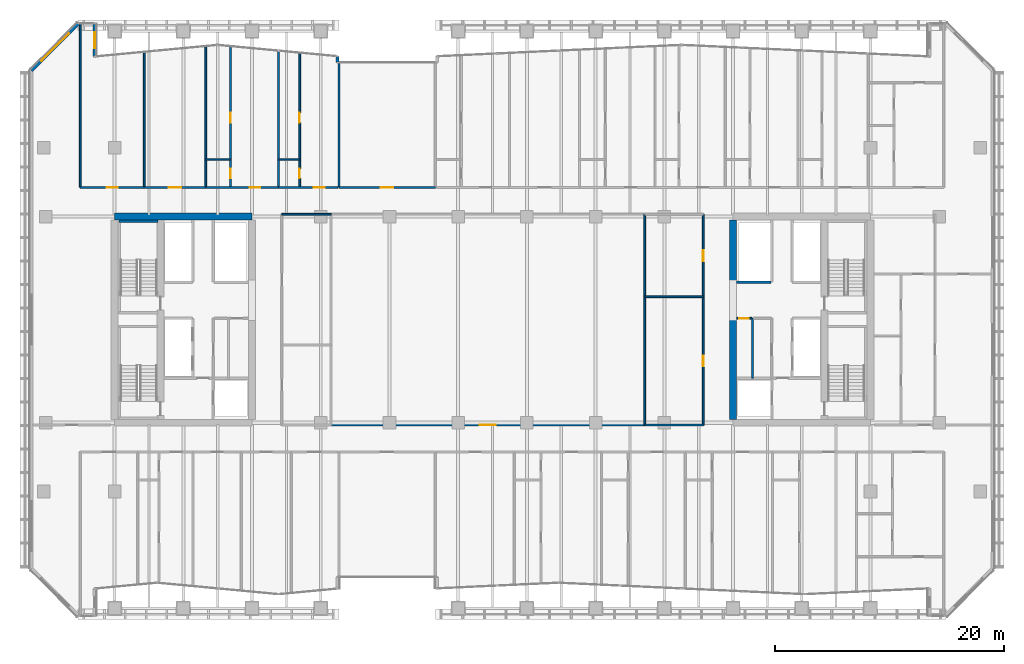
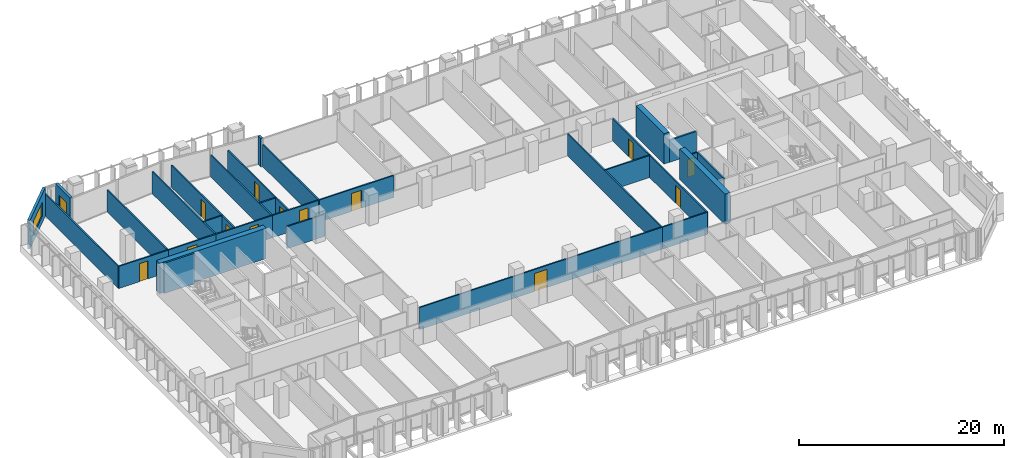
# One storey, part 22 of 32: 31 walls, 13 doors, 2 windows, 15 openings.
"""IFC4 building model written with IfcOpenShell, lengths in metres."""

from ifc_helpers import new_model, si_unit, direction, frame, frame_2d, origin, place, context, subcontext, project, spatial, rectangle, extrude, material, layer, layer_set, type_object, element, fill, save


model = new_model("IFC4")

# Units and contexts
model_context = context("Model", 3, precision=1e-05, world=origin(), true_north=direction((0.0, 1.0)))
body_context = subcontext(model_context, "Body", "Model", "MODEL_VIEW")
ifc_project = project(units=[si_unit("LENGTHUNIT", "METRE"), si_unit("AREAUNIT", "SQUARE_METRE"), si_unit("VOLUMEUNIT", "CUBIC_METRE"), si_unit("PLANEANGLEUNIT", "RADIAN"), si_unit("MASSUNIT", "GRAM", prefix="KILO")], contexts=[model_context])

# Site, building, storey
site_placement = place(None, origin())
site = spatial("IfcSite", under=ifc_project, at=site_placement, CompositionType="ELEMENT")
building_placement = place(site_placement, origin())
building = spatial("IfcBuilding", under=site, at=building_placement, Name="Tanjung Sevakor Pilgrim Tower", CompositionType="ELEMENT")
storey_placement = place(building_placement, frame((0.0, 0.0, 62.3701171875)))
storey = spatial("IfcBuildingStorey", under=building, at=storey_placement, Name="L17", CompositionType="ELEMENT", Elevation=62.3701171875)

# Walls
ifc_material_1 = material(Name="Concrete C60/75", Category="concrete")
ifc_layer_1 = layer(ifc_material_1, 0.60009765625)
ifc_layer_set_1 = layer_set([ifc_layer_1], Name="WALL-CW-600")
wall_type_1 = type_object("IfcWallType", Name="WALL-CW-600", PredefinedType="SHEAR", material=ifc_layer_set_1)
wall_1_placement = place(storey_placement, frame((36.0, 42.60009765625, 0.0), z_axis=(0.0, 0.0, 1.0), x_axis=(-1.0, 0.0, 0.0)))
element("IfcWall", 1, at=wall_1_placement, inside=storey, type_object=wall_type_1, Name="L17 W Core North Shear Wall", PredefinedType="SHEAR", context=body_context, shape_type="SweptSolid", body=[
    extrude(rectangle(XDim=12.0, YDim=0.60009765625, at=frame_2d((6.0, 0.0))), origin(), (0.0, 0.0, 1.0), 3.6298828125),
])
wall_2_placement = place(storey_placement, frame((78.0, 24.89990234375, 0.0), z_axis=(0.0, 0.0, 1.0), x_axis=(0.0, 1.0, 0.0)))
element("IfcWall", 2, at=wall_2_placement, inside=storey, type_object=wall_type_1, Name="L17 E Core Inner Shear Wall South", PredefinedType="SHEAR", context=body_context, shape_type="SweptSolid", body=[
    extrude(rectangle(XDim=8.900146484375, YDim=0.60009765625, at=frame_2d((4.4501953125, 0.0))), origin(), (0.0, 0.0, 1.0), 3.6298828125),
])
wall_3_placement = place(storey_placement, frame((78.0, 36.800048828125, 0.0), z_axis=(0.0, 0.0, 1.0), x_axis=(0.0, 1.0, 0.0)))
element("IfcWall", 3, at=wall_3_placement, inside=storey, type_object=wall_type_1, Name="L17 E Core Inner Shear Wall North", PredefinedType="SHEAR", context=body_context, shape_type="SweptSolid", body=[
    extrude(rectangle(XDim=5.5, YDim=0.60009765625, at=frame_2d((2.75, 0.0))), origin(), (0.0, 0.0, 1.0), 3.6298828125),
])
ifc_material_2 = material(Name="Concrete C40/50", Category="concrete")
ifc_layer_2 = layer(ifc_material_2, 0.14990234375)
ifc_layer_set_2 = layer_set([ifc_layer_2], Name="WT-COMP-150")
wall_type_2 = type_object("IfcWallType", Name="WT-COMP-150", PredefinedType="SOLIDWALL", material=ifc_layer_set_2)
wall_4_placement = place(storey_placement, frame((79.699951171875, 28.5, 0.0), z_axis=(0.0, 0.0, 1.0), x_axis=(0.0, 1.0, 0.0)))
element("IfcWall", 4, at=wall_4_placement, inside=storey, type_object=wall_type_2, Name="L17 Partition IW-L17-017", PredefinedType="SOLIDWALL", context=body_context, shape_type="SweptSolid", body=[
    extrude(rectangle(XDim=5.219970703125, YDim=0.14990234375, at=frame_2d((2.60986328125, 0.0))), origin(), (0.0, 0.0, 1.0), 2.6298828125),
])

# Wall, opening, door
wall_5_placement = place(storey_placement, frame((78.320068359375, 33.719970703125, 0.0), z_axis=(0.0, 0.0, 1.0), x_axis=(1.0, 0.0, 0.0)))
wall_5 = element("IfcWall", 5, at=wall_5_placement, inside=storey, type_object=wall_type_2, Name="L17 Partition IW-L17-019", PredefinedType="SOLIDWALL", context=body_context, shape_type="SweptSolid", body=[
    extrude(rectangle(XDim=1.31982421875, YDim=0.14990234375, at=frame_2d((0.659912109375, 0.0))), origin(), (0.0, 0.0, 1.0), 2.6298828125),
])
opening_1_placement = place(wall_5_placement, frame((0.219970703125, 0.0, 0.0)))
opening_1 = element("IfcOpeningElement", 6, at=opening_1_placement, cuts=wall_5, Name="Opening ID-FD3", PredefinedType="OPENING", context=body_context, shape_type="SweptSolid", body=[
    extrude(rectangle(XDim=0.85009765625, YDim=2.10009765625, at=frame_2d((0.425048828125, 1.050048828125))), frame((0.0, 0.0849609375, 0.0), z_axis=(0.0, -1.0, 0.0), x_axis=(1.0, 0.0, 0.0)), (0.0, 0.0, 1.0), 0.169921875),
])
ifc_material_3 = material(Name="Fire-Rated Timber", Category="wood")
door_type_1 = type_object("IfcDoorType", Name="DT-FIRE-850", OperationType="NOTDEFINED", PredefinedType="DOOR", material=ifc_material_3)
door_1_placement = place(opening_1_placement, origin())
door_1 = element("IfcDoor", 7, at=door_1_placement, inside=storey, type_object=door_type_1, Name="L17 Service Store Door", OperationType="SINGLE_SWING_RIGHT", OverallHeight=2.10009765625, OverallWidth=0.85009765625, PredefinedType="DOOR", context=body_context, shape_type="SweptSolid", body=[
    extrude(rectangle(XDim=0.85009765625, YDim=2.10009765625, at=frame_2d((0.425048828125, 1.050048828125))), frame((0.0, 0.02490234375, 0.0), z_axis=(0.0, -1.0, 0.0), x_axis=(1.0, 0.0, 0.0)), (0.0, 0.0, 1.0), 0.050048828125),
])
fill(opening_1, door_1)

# Wall
wall_6_placement = place(storey_placement, frame((38.60009765625, 42.800048828125, 0.0), z_axis=(0.0, 0.0, 1.0), x_axis=(1.0, 0.0, 0.0)))
element("IfcWall", 8, at=wall_6_placement, inside=storey, type_object=wall_type_2, Name="L17 Partition IW-L17-028", PredefinedType="SOLIDWALL", context=body_context, shape_type="SweptSolid", body=[
    extrude(rectangle(XDim=4.2998046875, YDim=0.14990234375, at=frame_2d((2.14990234375, 0.0))), origin(), (0.0, 0.0, 1.0), 2.625244140625),
])

# Wall, opening, door
wall_7_placement = place(storey_placement, frame((42.89990234375, 24.39990234375, 0.0), z_axis=(0.0, 0.0, 1.0), x_axis=(1.0, 0.0, 0.0)))
wall_7 = element("IfcWall", 9, at=wall_7_placement, inside=storey, type_object=wall_type_2, Name="L17 Partition IW-L17-030", PredefinedType="SOLIDWALL", context=body_context, shape_type="SweptSolid", body=[
    extrude(rectangle(XDim=27.400146484375, YDim=0.14990234375, at=frame_2d((13.7001953125, 0.0))), origin(), (0.0, 0.0, 1.0), 2.625244140625),
])
opening_2_placement = place(wall_7_placement, frame((13.0, 0.0, 0.0)))
opening_2 = element("IfcOpeningElement", 10, at=opening_2_placement, cuts=wall_7, Name="Opening ID-HD1", PredefinedType="OPENING", context=body_context, shape_type="SweptSolid", body=[
    extrude(rectangle(XDim=1.39990234375, YDim=2.14990234375, at=frame_2d((0.699951171875, 1.074951171875))), frame((0.0, 0.0849609375, 0.0), z_axis=(0.0, -1.0, 0.0), x_axis=(1.0, 0.0, 0.0)), (0.0, 0.0, 1.0), 0.169921875),
])
ifc_material_4 = material(Name="Hardwood Timber", Category="wood")
door_type_2 = type_object("IfcDoorType", Name="DT-INT-1400", OperationType="DOUBLE_DOOR_SINGLE_SWING", PredefinedType="DOOR", material=ifc_material_4)
door_2_placement = place(opening_2_placement, origin())
door_2 = element("IfcDoor", 11, at=door_2_placement, inside=storey, type_object=door_type_2, Name="L17 Sky-Prayer Sanctuary Door", OperationType="SINGLE_SWING_RIGHT", OverallHeight=2.14990234375, OverallWidth=1.39990234375, PredefinedType="DOOR", context=body_context, shape_type="SweptSolid", body=[
    extrude(rectangle(XDim=1.39990234375, YDim=2.14990234375, at=frame_2d((0.699951171875, 1.074951171875))), frame((0.0, 0.02490234375, 0.0), z_axis=(0.0, -1.0, 0.0), x_axis=(1.0, 0.0, 0.0)), (0.0, 0.0, 1.0), 0.050048828125),
])
fill(opening_2, door_2)

# Walls
wall_8_placement = place(storey_placement, frame((70.300048828125, 24.39990234375, 0.0), z_axis=(0.0, 0.0, 1.0), x_axis=(0.0, 1.0, 0.0)))
element("IfcWall", 12, at=wall_8_placement, inside=storey, type_object=wall_type_2, Name="L17 Partition IW-L17-033", PredefinedType="SOLIDWALL", context=body_context, shape_type="SweptSolid", body=[
    extrude(rectangle(XDim=18.400146484375, YDim=0.14990234375, at=frame_2d((9.2001953125, 0.0))), origin(), (0.0, 0.0, 1.0), 2.6298828125),
])
wall_9_placement = place(storey_placement, frame((70.300048828125, 24.39990234375, 0.0), z_axis=(0.0, 0.0, 1.0), x_axis=(1.0, 0.0, 0.0)))
element("IfcWall", 13, at=wall_9_placement, inside=storey, type_object=wall_type_2, Name="L17 Partition IW-L17-034", PredefinedType="SOLIDWALL", context=body_context, shape_type="SweptSolid", body=[
    extrude(rectangle(XDim=5.099853515625, YDim=0.14990234375, at=frame_2d((2.5498046875, 0.0))), origin(), (0.0, 0.0, 1.0), 2.625244140625),
])
wall_10_placement = place(storey_placement, frame((70.300048828125, 35.60009765625, 0.0), z_axis=(0.0, 0.0, 1.0), x_axis=(1.0, 0.0, 0.0)))
element("IfcWall", 14, at=wall_10_placement, inside=storey, type_object=wall_type_2, Name="L17 Partition IW-L17-035", PredefinedType="SOLIDWALL", context=body_context, shape_type="SweptSolid", body=[
    extrude(rectangle(XDim=5.099853515625, YDim=0.14990234375, at=frame_2d((2.5498046875, 0.0))), origin(), (0.0, 0.0, 1.0), 2.6298828125),
])

# Wall, opening, door
wall_11_placement = place(storey_placement, frame((75.39990234375, 24.39990234375, 0.0), z_axis=(0.0, 0.0, 1.0), x_axis=(0.0, 1.0, 0.0)))
wall_11 = element("IfcWall", 15, at=wall_11_placement, inside=storey, type_object=wall_type_2, Name="L17 Partition IW-L17-036", PredefinedType="SOLIDWALL", context=body_context, shape_type="SweptSolid", body=[
    extrude(rectangle(XDim=11.2001953125, YDim=0.14990234375, at=frame_2d((5.60009765625, 0.0))), origin(), (0.0, 0.0, 1.0), 2.6298828125),
])
opening_3_placement = place(wall_11_placement, frame((5.125, 0.0, 0.0)))
opening_3 = element("IfcOpeningElement", 16, at=opening_3_placement, cuts=wall_11, Name="Opening ID-RM1", PredefinedType="OPENING", context=body_context, shape_type="SweptSolid", body=[
    extrude(rectangle(XDim=0.949951171875, YDim=2.14990234375, at=frame_2d((0.47509765625, 1.074951171875))), frame((0.0, 0.0849609375, 0.0), z_axis=(0.0, -1.0, 0.0), x_axis=(1.0, 0.0, 0.0)), (0.0, 0.0, 1.0), 0.169921875),
])
ifc_material_5 = material(Name="Hardwood Timber", Category="wood")
door_type_3 = type_object("IfcDoorType", Name="DT-INT-950", OperationType="NOTDEFINED", PredefinedType="DOOR", material=ifc_material_5)
door_3_placement = place(opening_3_placement, origin())
door_3 = element("IfcDoor", 17, at=door_3_placement, inside=storey, type_object=door_type_3, Name="L17 Female Ablution Door", OperationType="SINGLE_SWING_LEFT", OverallHeight=2.14990234375, OverallWidth=0.949951171875, PredefinedType="DOOR", context=body_context, shape_type="SweptSolid", body=[
    extrude(rectangle(XDim=0.949951171875, YDim=2.14990234375, at=frame_2d((0.47509765625, 1.074951171875))), frame((0.0, 0.02490234375, 0.0), z_axis=(0.0, -1.0, 0.0), x_axis=(1.0, 0.0, 0.0)), (0.0, 0.0, 1.0), 0.050048828125),
])
fill(opening_3, door_3)

wall_12_placement = place(storey_placement, frame((75.39990234375, 35.60009765625, 0.0), z_axis=(0.0, 0.0, 1.0), x_axis=(0.0, 1.0, 0.0)))
wall_12 = element("IfcWall", 18, at=wall_12_placement, inside=storey, type_object=wall_type_2, Name="L17 Partition IW-L17-038", PredefinedType="SOLIDWALL", context=body_context, shape_type="SweptSolid", body=[
    extrude(rectangle(XDim=7.199951171875, YDim=0.14990234375, at=frame_2d((3.60009765625, 0.0))), origin(), (0.0, 0.0, 1.0), 2.6298828125),
])
opening_4_placement = place(wall_12_placement, frame((3.125, 0.0, 0.0)))
opening_4 = element("IfcOpeningElement", 19, at=opening_4_placement, cuts=wall_12, Name="Opening ID-RM1", PredefinedType="OPENING", context=body_context, shape_type="SweptSolid", body=[
    extrude(rectangle(XDim=0.949951171875, YDim=2.14990234375, at=frame_2d((0.47509765625, 1.074951171875))), frame((0.0, 0.0849609375, 0.0), z_axis=(0.0, -1.0, 0.0), x_axis=(1.0, 0.0, 0.0)), (0.0, 0.0, 1.0), 0.169921875),
])
door_4_placement = place(opening_4_placement, origin())
door_4 = element("IfcDoor", 20, at=door_4_placement, inside=storey, type_object=door_type_3, Name="L17 Female Washroom Door", OperationType="SINGLE_SWING_RIGHT", OverallHeight=2.14990234375, OverallWidth=0.949951171875, PredefinedType="DOOR", context=body_context, shape_type="SweptSolid", body=[
    extrude(rectangle(XDim=0.949951171875, YDim=2.14990234375, at=frame_2d((0.47509765625, 1.074951171875))), frame((0.0, 0.02490234375, 0.0), z_axis=(0.0, -1.0, 0.0), x_axis=(1.0, 0.0, 0.0)), (0.0, 0.0, 1.0), 0.050048828125),
])
fill(opening_4, door_4)

wall_13_placement = place(storey_placement, frame((43.60009765625, 45.14990234375, 0.0), z_axis=(0.0, 0.0, 1.0), x_axis=(1.0, 0.0, 0.0)))
wall_13 = element("IfcWall", 21, at=wall_13_placement, inside=storey, type_object=wall_type_2, Name="L17 Partition IW-L17-049", PredefinedType="SOLIDWALL", context=body_context, shape_type="SweptSolid", body=[
    extrude(rectangle(XDim=8.39990234375, YDim=0.14990234375, at=frame_2d((4.199951171875, 0.0))), origin(), (0.0, 0.0, 1.0), 2.6298828125),
])
opening_5_placement = place(wall_13_placement, frame((3.64990234375, 0.0, 0.0)))
opening_5 = element("IfcOpeningElement", 22, at=opening_5_placement, cuts=wall_13, Name="Opening ID-RM2", PredefinedType="OPENING", context=body_context, shape_type="SweptSolid", body=[
    extrude(rectangle(XDim=1.10009765625, YDim=2.14990234375, at=frame_2d((0.550048828125, 1.074951171875))), frame((0.0, 0.0849609375, 0.0), z_axis=(0.0, -1.0, 0.0), x_axis=(1.0, 0.0, 0.0)), (0.0, 0.0, 1.0), 0.169921875),
])
ifc_material_6 = material(Name="Hardwood Timber", Category="wood")
door_type_4 = type_object("IfcDoorType", Name="DT-INT-1100", OperationType="NOTDEFINED", PredefinedType="DOOR", material=ifc_material_6)
door_5_placement = place(opening_5_placement, origin())
door_5 = element("IfcDoor", 23, at=door_5_placement, inside=storey, type_object=door_type_4, Name="L17 North Cleft Prayer Room Door", OperationType="SINGLE_SWING_LEFT", OverallHeight=2.14990234375, OverallWidth=1.10009765625, PredefinedType="DOOR", context=body_context, shape_type="SweptSolid", body=[
    extrude(rectangle(XDim=1.10009765625, YDim=2.14990234375, at=frame_2d((0.550048828125, 1.074951171875))), frame((0.0, 0.02490234375, 0.0), z_axis=(0.0, -1.0, 0.0), x_axis=(1.0, 0.0, 0.0)), (0.0, 0.0, 1.0), 0.050048828125),
])
fill(opening_5, door_5)

# Walls
wall_14_placement = place(storey_placement, frame((43.60009765625, 45.14990234375, 0.0), z_axis=(0.0, 0.0, 1.0), x_axis=(0.0, 1.0, 0.0)))
element("IfcWall", 24, at=wall_14_placement, inside=storey, type_object=wall_type_2, Name="L17 Partition IW-L17-050", PredefinedType="SOLIDWALL", context=body_context, shape_type="SweptSolid", body=[
    extrude(rectangle(XDim=10.91015625, YDim=0.14990234375, at=frame_2d((5.455078125, 0.0))), origin(), (0.0, 0.0, 1.0), 2.6298828125),
])
wall_15_placement = place(storey_placement, frame((21.0, 45.14990234375, 0.0), z_axis=(0.0, 0.0, 1.0), x_axis=(0.0, 1.0, 0.0)))
element("IfcWall", 25, at=wall_15_placement, inside=storey, type_object=wall_type_2, Name="L17 Partition IW-L17-087", PredefinedType="SOLIDWALL", context=body_context, shape_type="SweptSolid", body=[
    extrude(rectangle(XDim=14.31005859375, YDim=0.14990234375, at=frame_2d((7.155029296875, 0.0))), origin(), (0.0, 0.0, 1.0), 2.6298828125),
])
wall_16_placement = place(storey_placement, frame((26.581298828125, 45.14990234375, 0.0), z_axis=(0.0, 0.0, 1.0), x_axis=(0.0, 1.0, 0.0)))
element("IfcWall", 26, at=wall_16_placement, inside=storey, type_object=wall_type_2, Name="L17 Partition IW-L17-088", PredefinedType="SOLIDWALL", context=body_context, shape_type="SweptSolid", body=[
    extrude(rectangle(XDim=11.823974609375, YDim=0.14990234375, at=frame_2d((5.912109375, 0.0))), origin(), (0.0, 0.0, 1.0), 2.6298828125),
])

# Wall, opening, door
wall_17_placement = place(storey_placement, frame((21.0, 45.14990234375, 0.0), z_axis=(0.0, 0.0, 1.0), x_axis=(1.0, 0.0, 0.0)))
wall_17 = element("IfcWall", 27, at=wall_17_placement, inside=storey, type_object=wall_type_2, Name="L17 Partition IW-L17-089", PredefinedType="SOLIDWALL", context=body_context, shape_type="SweptSolid", body=[
    extrude(rectangle(XDim=5.581298828125, YDim=0.14990234375, at=frame_2d((2.79052734375, 0.0))), origin(), (0.0, 0.0, 1.0), 2.6298828125),
])
opening_6_placement = place(wall_17_placement, frame((2.315673828125, 0.0, 0.0)))
opening_6 = element("IfcOpeningElement", 28, at=opening_6_placement, cuts=wall_17, Name="Opening ID-FD2", PredefinedType="OPENING", context=body_context, shape_type="SweptSolid", body=[
    extrude(rectangle(XDim=0.949951171875, YDim=2.14990234375, at=frame_2d((0.47509765625, 1.074951171875))), frame((0.0, 0.0849609375, 0.0), z_axis=(0.0, -1.0, 0.0), x_axis=(1.0, 0.0, 0.0)), (0.0, 0.0, 1.0), 0.169921875),
])
ifc_material_7 = material(Name="Fire-Rated Timber", Category="wood")
door_type_5 = type_object("IfcDoorType", Name="DT-FIRE-950", OperationType="NOTDEFINED", PredefinedType="DOOR", material=ifc_material_7)
door_6_placement = place(opening_6_placement, origin())
door_6 = element("IfcDoor", 29, at=door_6_placement, inside=storey, type_object=door_type_5, Name="Study Room Entrance", OperationType="SINGLE_SWING_RIGHT", OverallHeight=2.14990234375, OverallWidth=0.949951171875, PredefinedType="DOOR", context=body_context, shape_type="SweptSolid", body=[
    extrude(rectangle(XDim=0.949951171875, YDim=2.14990234375, at=frame_2d((0.47509765625, 1.074951171875))), frame((0.0, 0.02490234375, 0.0), z_axis=(0.0, -1.0, 0.0), x_axis=(1.0, 0.0, 0.0)), (0.0, 0.0, 1.0), 0.050048828125),
])
fill(opening_6, door_6)

# Wall
wall_18_placement = place(storey_placement, frame((31.955810546875, 45.14990234375, 0.0), z_axis=(0.0, 0.0, 1.0), x_axis=(0.0, 1.0, 0.0)))
element("IfcWall", 30, at=wall_18_placement, inside=storey, type_object=wall_type_2, Name="L17 Partition IW-L17-090", PredefinedType="SOLIDWALL", context=body_context, shape_type="SweptSolid", body=[
    extrude(rectangle(XDim=12.3310546875, YDim=0.14990234375, at=frame_2d((6.16552734375, 0.0))), origin(), (0.0, 0.0, 1.0), 2.6298828125),
])

# Wall, opening, door
wall_19_placement = place(storey_placement, frame((26.581298828125, 45.14990234375, 0.0), z_axis=(0.0, 0.0, 1.0), x_axis=(1.0, 0.0, 0.0)))
wall_19 = element("IfcWall", 31, at=wall_19_placement, inside=storey, type_object=wall_type_2, Name="L17 Partition IW-L17-091", PredefinedType="SOLIDWALL", context=body_context, shape_type="SweptSolid", body=[
    extrude(rectangle(XDim=5.37451171875, YDim=0.14990234375, at=frame_2d((2.687255859375, 0.0))), origin(), (0.0, 0.0, 1.0), 2.6298828125),
])
opening_7_placement = place(wall_19_placement, frame((2.13720703125, 0.0, 0.0)))
opening_7 = element("IfcOpeningElement", 32, at=opening_7_placement, cuts=wall_19, Name="Opening ID-FD0", PredefinedType="OPENING", context=body_context, shape_type="SweptSolid", body=[
    extrude(rectangle(XDim=1.10009765625, YDim=2.14990234375, at=frame_2d((0.550048828125, 1.074951171875))), frame((0.0, 0.0849609375, 0.0), z_axis=(0.0, -1.0, 0.0), x_axis=(1.0, 0.0, 0.0)), (0.0, 0.0, 1.0), 0.169921875),
])
ifc_material_8 = material(Name="Fire-Rated Steel S355J2", Category="steel")
door_type_6 = type_object("IfcDoorType", Name="DT-FIRE-1100", OperationType="NOTDEFINED", PredefinedType="DOOR", material=ifc_material_8)
door_7_placement = place(opening_7_placement, origin())
door_7 = element("IfcDoor", 33, at=door_7_placement, inside=storey, type_object=door_type_6, Name="Seminar Room Door", OperationType="SINGLE_SWING_LEFT", OverallHeight=2.14990234375, OverallWidth=1.10009765625, PredefinedType="DOOR", context=body_context, shape_type="SweptSolid", body=[
    extrude(rectangle(XDim=1.10009765625, YDim=2.14990234375, at=frame_2d((0.550048828125, 1.074951171875))), frame((0.0, 0.02490234375, 0.0), z_axis=(0.0, -1.0, 0.0), x_axis=(1.0, 0.0, 0.0)), (0.0, 0.0, 1.0), 0.050048828125),
])
fill(opening_7, door_7)

# Wall
wall_20_placement = place(storey_placement, frame((38.31201171875, 45.14990234375, 0.0), z_axis=(0.0, 0.0, 1.0), x_axis=(0.0, 1.0, 0.0)))
element("IfcWall", 34, at=wall_20_placement, inside=storey, type_object=wall_type_2, Name="L17 Partition IW-L17-092", PredefinedType="SOLIDWALL", context=body_context, shape_type="SweptSolid", body=[
    extrude(rectangle(XDim=11.92822265625, YDim=0.14990234375, at=frame_2d((5.964111328125, 0.0))), origin(), (0.0, 0.0, 1.0), 2.6298828125),
])

# Wall, opening, door
wall_21_placement = place(storey_placement, frame((31.955810546875, 45.14990234375, 0.0), z_axis=(0.0, 0.0, 1.0), x_axis=(1.0, 0.0, 0.0)))
wall_21 = element("IfcWall", 35, at=wall_21_placement, inside=storey, type_object=wall_type_2, Name="L17 Partition IW-L17-095", PredefinedType="SOLIDWALL", context=body_context, shape_type="SweptSolid", body=[
    extrude(rectangle(XDim=6.356201171875, YDim=0.14990234375, at=frame_2d((3.17822265625, 0.0))), origin(), (0.0, 0.0, 1.0), 2.6298828125),
])
opening_8_placement = place(wall_21_placement, frame((3.82373046875, 0.0, 0.0)))
opening_8 = element("IfcOpeningElement", 36, at=opening_8_placement, cuts=wall_21, Name="Opening ID-FD2", PredefinedType="OPENING", context=body_context, shape_type="SweptSolid", body=[
    extrude(rectangle(XDim=0.949951171875, YDim=2.14990234375, at=frame_2d((0.47509765625, 1.074951171875))), frame((0.0, 0.0849609375, 0.0), z_axis=(0.0, -1.0, 0.0), x_axis=(1.0, 0.0, 0.0)), (0.0, 0.0, 1.0), 0.169921875),
])
door_8_placement = place(opening_8_placement, origin())
door_8 = element("IfcDoor", 37, at=door_8_placement, inside=storey, type_object=door_type_5, Name="Hostel Quad Entrance", OperationType="SINGLE_SWING_RIGHT", OverallHeight=2.14990234375, OverallWidth=0.949951171875, PredefinedType="DOOR", context=body_context, shape_type="SweptSolid", body=[
    extrude(rectangle(XDim=0.949951171875, YDim=2.14990234375, at=frame_2d((0.47509765625, 1.074951171875))), frame((0.0, 0.02490234375, 0.0), z_axis=(0.0, -1.0, 0.0), x_axis=(1.0, 0.0, 0.0)), (0.0, 0.0, 1.0), 0.050048828125),
])
fill(opening_8, door_8)

wall_22_placement = place(storey_placement, frame((38.31201171875, 45.14990234375, 0.0), z_axis=(0.0, 0.0, 1.0), x_axis=(1.0, 0.0, 0.0)))
wall_22 = element("IfcWall", 38, at=wall_22_placement, inside=storey, type_object=wall_type_2, Name="L17 Partition IW-L17-098", PredefinedType="SOLIDWALL", context=body_context, shape_type="SweptSolid", body=[
    extrude(rectangle(XDim=5.16796875, YDim=0.14990234375, at=frame_2d((2.583984375, 0.0))), origin(), (0.0, 0.0, 1.0), 2.6298828125),
])
opening_9_placement = place(wall_22_placement, frame((3.073974609375, 0.0, 0.0)))
opening_9 = element("IfcOpeningElement", 39, at=opening_9_placement, cuts=wall_22, Name="Opening ID-FD2", PredefinedType="OPENING", context=body_context, shape_type="SweptSolid", body=[
    extrude(rectangle(XDim=0.949951171875, YDim=2.14990234375, at=frame_2d((0.47509765625, 1.074951171875))), frame((0.0, 0.0849609375, 0.0), z_axis=(0.0, -1.0, 0.0), x_axis=(1.0, 0.0, 0.0)), (0.0, 0.0, 1.0), 0.169921875),
])
door_9_placement = place(opening_9_placement, origin())
door_9 = element("IfcDoor", 40, at=door_9_placement, inside=storey, type_object=door_type_5, Name="Hostel Quad Entrance", OperationType="SINGLE_SWING_LEFT", OverallHeight=2.14990234375, OverallWidth=0.949951171875, PredefinedType="DOOR", context=body_context, shape_type="SweptSolid", body=[
    extrude(rectangle(XDim=0.949951171875, YDim=2.14990234375, at=frame_2d((0.47509765625, 1.074951171875))), frame((0.0, 0.02490234375, 0.0), z_axis=(0.0, -1.0, 0.0), x_axis=(1.0, 0.0, 0.0)), (0.0, 0.0, 1.0), 0.050048828125),
])
fill(opening_9, door_9)

# Wall
ifc_material_9 = material(Name="Precast concrete C45/55", Category="concrete")
ifc_layer_3 = layer(ifc_material_9, 0.280029296875)
ifc_layer_set_3 = layer_set([ifc_layer_3], Name="WT-EW-STN2")
wall_type_3 = type_object("IfcWallType", Name="WT-EW-STN2", PredefinedType="SOLIDWALL", material=ifc_layer_set_3)
wall_23_placement = place(storey_placement, frame((43.4599609375, 56.06005859375, 0.0), z_axis=(0.0, 0.0, 1.0), x_axis=(0.0, 1.0, 0.0)))
element("IfcWall", 41, at=wall_23_placement, inside=storey, type_object=wall_type_3, Name="L17 MAIN Exterior Wall 27", PredefinedType="SOLIDWALL", context=body_context, shape_type="SweptSolid", body=[
    extrude(rectangle(XDim=0.532470703125, YDim=0.280029296875, at=frame_2d((0.26611328125, 0.0))), origin(), (0.0, 0.0, 1.0), 3.409912109375),
])

# Wall, opening, window
wall_24_placement = place(storey_placement, frame((22.260009765625, 56.566162109375, 0.0), z_axis=(0.0, 0.0, 1.0), x_axis=(0.0, 1.0, 0.0)))
wall_24 = element("IfcWall", 42, at=wall_24_placement, inside=storey, type_object=wall_type_3, Name="L17 MAIN Exterior Wall 32", PredefinedType="SOLIDWALL", context=body_context, shape_type="SweptSolid", body=[
    extrude(rectangle(XDim=2.893798828125, YDim=0.280029296875, at=frame_2d((1.44677734375, 0.0))), origin(), (0.0, 0.0, 1.0), 3.409912109375),
])
opening_10_placement = place(wall_24_placement, frame((0.746826171875, 0.0, 0.780029296875)))
opening_10 = element("IfcOpeningElement", 43, at=opening_10_placement, cuts=wall_24, Name="Opening WN-END", PredefinedType="OPENING", context=body_context, shape_type="SweptSolid", body=[
    extrude(rectangle(XDim=1.39990234375, YDim=1.64990234375, at=frame_2d((0.699951171875, 0.824951171875))), frame((0.0, 0.14990234375, 0.0), z_axis=(0.0, -1.0, 0.0), x_axis=(1.0, 0.0, 0.0)), (0.0, 0.0, 1.0), 0.300048828125),
])
ifc_material_10 = material(Name="Thermally Broken Aluminium and Low-E Glass", Category="aluminium")
window_type_1 = type_object("IfcWindowType", Name="WTYP-WN-END", PartitioningType="SINGLE_PANEL", PredefinedType="WINDOW", material=ifc_material_10)
window_1_placement = place(opening_10_placement, origin())
window_1 = element("IfcWindow", 44, at=window_1_placement, inside=storey, type_object=window_type_1, Name="L17 Facade Window 01", OverallHeight=1.64990234375, OverallWidth=1.39990234375, PartitioningType="SINGLE_PANEL", PredefinedType="WINDOW", context=body_context, shape_type="SweptSolid", body=[
    extrude(rectangle(XDim=1.39990234375, YDim=1.64990234375, at=frame_2d((0.699951171875, 0.824951171875))), frame((0.0, 0.030029296875, 0.0), z_axis=(0.0, -1.0, 0.0), x_axis=(1.0, 0.0, 0.0)), (0.0, 0.0, 1.0), 0.06005859375),
])
fill(opening_10, window_1)

wall_25_placement = place(storey_placement, frame((20.85791015625, 59.4599609375, 0.0), z_axis=(0.0, 0.0, 1.0), x_axis=(-0.707106781187, -0.707106781187, 0.0)))
wall_25 = element("IfcWall", 45, at=wall_25_placement, inside=storey, type_object=wall_type_3, Name="L17 MAIN Sculpted Corner Wall 33", PredefinedType="SOLIDWALL", context=body_context, shape_type="SweptSolid", body=[
    extrude(rectangle(XDim=5.82373046875, YDim=0.280029296875, at=frame_2d((2.911865234375, 0.0))), origin(), (0.0, 0.0, 1.0), 3.409912109375),
])
opening_11_placement = place(wall_25_placement, frame((1.2119140625, 0.0, 0.780029296875)))
opening_11 = element("IfcOpeningElement", 46, at=opening_11_placement, cuts=wall_25, Name="Opening WN-CHM-1660", PredefinedType="OPENING", context=body_context, shape_type="SweptSolid", body=[
    extrude(rectangle(XDim=3.39990234375, YDim=1.659912109375, at=frame_2d((1.699951171875, 0.830078125))), frame((0.0, 0.14990234375, 0.0), z_axis=(0.0, -1.0, 0.0), x_axis=(1.0, 0.0, 0.0)), (0.0, 0.0, 1.0), 0.300048828125),
])
ifc_material_11 = material(Name="Thermally Broken Aluminium and Low-E Glass", Category="aluminium")
window_type_2 = type_object("IfcWindowType", Name="WTYP-WN-CHM-1660", PartitioningType="DOUBLE_PANEL_VERTICAL", PredefinedType="WINDOW", material=ifc_material_11)
window_2_placement = place(opening_11_placement, origin())
window_2 = element("IfcWindow", 47, at=window_2_placement, inside=storey, type_object=window_type_2, Name="L17 Facade Window 01", OverallHeight=1.659912109375, OverallWidth=3.39990234375, PartitioningType="SINGLE_PANEL", PredefinedType="WINDOW", context=body_context, shape_type="SweptSolid", body=[
    extrude(rectangle(XDim=3.39990234375, YDim=1.659912109375, at=frame_2d((1.699951171875, 0.830078125))), frame((0.0, 0.030029296875, 0.0), z_axis=(0.0, -1.0, 0.0), x_axis=(1.0, 0.0, 0.0)), (0.0, 0.0, 1.0), 0.06005859375),
])
fill(opening_11, window_2)

# Walls
ifc_material_12 = material(Name="Concrete C40/50", Category="concrete")
ifc_layer_4 = layer(ifc_material_12, 0.199951171875)
ifc_layer_set_4 = layer_set([ifc_layer_4], Name="WT-FIRE-200")
wall_type_4 = type_object("IfcWallType", Name="WT-FIRE-200", PredefinedType="SOLIDWALL", material=ifc_layer_set_4)
wall_26_placement = place(storey_placement, frame((27.800048828125, 42.199951171875, 0.0), z_axis=(0.0, 0.0, 1.0), x_axis=(-1.0, 0.0, 0.0)))
element("IfcWall", 48, at=wall_26_placement, inside=storey, type_object=wall_type_4, Name="L17 TS-W2 Shaft Wall 2", PredefinedType="SOLIDWALL", context=body_context, shape_type="SweptSolid", body=[
    extrude(rectangle(XDim=3.400146484375, YDim=0.199951171875, at=frame_2d((1.7001953125, 0.0))), origin(), (0.0, 0.0, 1.0), 3.6298828125),
])
ifc_material_13 = material(Name="Concrete C40/50", Category="concrete")
ifc_layer_5 = layer(ifc_material_13, 0.199951171875)
ifc_layer_set_5 = layer_set([ifc_layer_5], Name="WT-FPRT-200")
wall_type_5 = type_object("IfcWallType", Name="WT-FPRT-200", PredefinedType="SOLIDWALL", material=ifc_layer_set_5)
wall_27_placement = place(storey_placement, frame((78.320068359375, 36.8798828125, 0.0), z_axis=(0.0, 0.0, 1.0), x_axis=(1.0, 0.0, 0.0)))
element("IfcWall", 49, at=wall_27_placement, inside=storey, type_object=wall_type_5, Name="L17 Partition IW-L17-023", PredefinedType="SOLIDWALL", context=body_context, shape_type="SweptSolid", body=[
    extrude(rectangle(XDim=3.0, YDim=0.199951171875, at=frame_2d((1.5, 0.0))), origin(), (0.0, 0.0, 1.0), 2.6298828125),
])
ifc_material_14 = material(Name="Gypsum Board Partition", Category="gypsum board")
ifc_layer_6 = layer(ifc_material_14, 0.14990234375)
ifc_layer_set_6 = layer_set([ifc_layer_6], Name="WT-PART-150")
wall_type_6 = type_object("IfcWallType", Name="WT-PART-150", PredefinedType="PARTITIONING", material=ifc_layer_set_6)
wall_28_placement = place(storey_placement, frame((31.955810546875, 47.60009765625, 0.0), z_axis=(0.0, 0.0, 1.0), x_axis=(1.0, 0.0, 0.0)))
element("IfcWall", 50, at=wall_28_placement, inside=storey, type_object=wall_type_6, Name="L17 Partition IW-L17-093", PredefinedType="PARTITIONING", context=body_context, shape_type="SweptSolid", body=[
    extrude(rectangle(XDim=2.1611328125, YDim=0.14990234375, at=frame_2d((1.08056640625, 0.0))), origin(), (0.0, 0.0, 1.0), 2.6298828125),
])

# Wall, openings, doors
wall_29_placement = place(storey_placement, frame((34.116943359375, 45.14990234375, 0.0), z_axis=(0.0, 0.0, 1.0), x_axis=(0.0, 1.0, 0.0)))
wall_29 = element("IfcWall", 51, at=wall_29_placement, inside=storey, type_object=wall_type_6, Name="L17 Partition IW-L17-094", PredefinedType="PARTITIONING", context=body_context, shape_type="SweptSolid", body=[
    extrude(rectangle(XDim=12.32421875, YDim=0.14990234375, at=frame_2d((6.162109375, 0.0))), origin(), (0.0, 0.0, 1.0), 2.6298828125),
])
opening_12_placement = place(wall_29_placement, frame((0.800048828125, 0.0, 0.0)))
opening_12 = element("IfcOpeningElement", 52, at=opening_12_placement, cuts=wall_29, Name="Opening ID-WC1", PredefinedType="OPENING", context=body_context, shape_type="SweptSolid", body=[
    extrude(rectangle(XDim=0.85009765625, YDim=2.10009765625, at=frame_2d((0.425048828125, 1.050048828125))), frame((0.0, 0.0849609375, 0.0), z_axis=(0.0, -1.0, 0.0), x_axis=(1.0, 0.0, 0.0)), (0.0, 0.0, 1.0), 0.169921875),
])
opening_13_placement = place(wall_29_placement, frame((5.64990234375, 0.0, 0.0)))
opening_13 = element("IfcOpeningElement", 53, at=opening_13_placement, cuts=wall_29, Name="Opening ID-WC1", PredefinedType="OPENING", context=body_context, shape_type="SweptSolid", body=[
    extrude(rectangle(XDim=0.85009765625, YDim=2.10009765625, at=frame_2d((0.425048828125, 1.050048828125))), frame((0.0, 0.0849609375, 0.0), z_axis=(0.0, -1.0, 0.0), x_axis=(1.0, 0.0, 0.0)), (0.0, 0.0, 1.0), 0.169921875),
])
ifc_material_15 = material(Name="Moisture-Resistant Timber", Category="wood")
door_type_7 = type_object("IfcDoorType", Name="DT-INT-850", OperationType="NOTDEFINED", PredefinedType="DOOR", material=ifc_material_15)
door_10_placement = place(opening_12_placement, origin())
door_10 = element("IfcDoor", 54, at=door_10_placement, inside=storey, type_object=door_type_7, Name="Bathroom Door", OperationType="SINGLE_SWING_RIGHT", OverallHeight=2.10009765625, OverallWidth=0.85009765625, PredefinedType="DOOR", context=body_context, shape_type="SweptSolid", body=[
    extrude(rectangle(XDim=0.85009765625, YDim=2.10009765625, at=frame_2d((0.425048828125, 1.050048828125))), frame((0.0, 0.02490234375, 0.0), z_axis=(0.0, -1.0, 0.0), x_axis=(1.0, 0.0, 0.0)), (0.0, 0.0, 1.0), 0.050048828125),
])
fill(opening_12, door_10)
door_11_placement = place(opening_13_placement, origin())
door_11 = element("IfcDoor", 55, at=door_11_placement, inside=storey, type_object=door_type_7, Name="Study Nook Door", OperationType="SINGLE_SWING_LEFT", OverallHeight=2.10009765625, OverallWidth=0.85009765625, PredefinedType="DOOR", context=body_context, shape_type="SweptSolid", body=[
    extrude(rectangle(XDim=0.85009765625, YDim=2.10009765625, at=frame_2d((0.425048828125, 1.050048828125))), frame((0.0, 0.02490234375, 0.0), z_axis=(0.0, -1.0, 0.0), x_axis=(1.0, 0.0, 0.0)), (0.0, 0.0, 1.0), 0.050048828125),
])
fill(opening_13, door_11)

# Wall
wall_30_placement = place(storey_placement, frame((38.31201171875, 47.60009765625, 0.0), z_axis=(0.0, 0.0, 1.0), x_axis=(1.0, 0.0, 0.0)))
element("IfcWall", 56, at=wall_30_placement, inside=storey, type_object=wall_type_6, Name="L17 Partition IW-L17-096", PredefinedType="PARTITIONING", context=body_context, shape_type="SweptSolid", body=[
    extrude(rectangle(XDim=1.85009765625, YDim=0.14990234375, at=frame_2d((0.925048828125, 0.0))), origin(), (0.0, 0.0, 1.0), 2.6298828125),
])

# Wall, openings, doors
wall_31_placement = place(storey_placement, frame((40.162109375, 45.14990234375, 0.0), z_axis=(0.0, 0.0, 1.0), x_axis=(0.0, 1.0, 0.0)))
wall_31 = element("IfcWall", 57, at=wall_31_placement, inside=storey, type_object=wall_type_6, Name="L17 Partition IW-L17-097", PredefinedType="PARTITIONING", context=body_context, shape_type="SweptSolid", body=[
    extrude(rectangle(XDim=11.75390625, YDim=0.14990234375, at=frame_2d((5.876953125, 0.0))), origin(), (0.0, 0.0, 1.0), 2.6298828125),
])
opening_14_placement = place(wall_31_placement, frame((0.800048828125, 0.0, 0.0)))
opening_14 = element("IfcOpeningElement", 58, at=opening_14_placement, cuts=wall_31, Name="Opening ID-WC1", PredefinedType="OPENING", context=body_context, shape_type="SweptSolid", body=[
    extrude(rectangle(XDim=0.85009765625, YDim=2.10009765625, at=frame_2d((0.425048828125, 1.050048828125))), frame((0.0, 0.0849609375, 0.0), z_axis=(0.0, -1.0, 0.0), x_axis=(1.0, 0.0, 0.0)), (0.0, 0.0, 1.0), 0.169921875),
])
opening_15_placement = place(wall_31_placement, frame((5.64990234375, 0.0, 0.0)))
opening_15 = element("IfcOpeningElement", 59, at=opening_15_placement, cuts=wall_31, Name="Opening ID-WC1", PredefinedType="OPENING", context=body_context, shape_type="SweptSolid", body=[
    extrude(rectangle(XDim=0.85009765625, YDim=2.10009765625, at=frame_2d((0.425048828125, 1.050048828125))), frame((0.0, 0.0849609375, 0.0), z_axis=(0.0, -1.0, 0.0), x_axis=(1.0, 0.0, 0.0)), (0.0, 0.0, 1.0), 0.169921875),
])
door_12_placement = place(opening_14_placement, origin())
door_12 = element("IfcDoor", 60, at=door_12_placement, inside=storey, type_object=door_type_7, Name="Bathroom Door", OperationType="SINGLE_SWING_LEFT", OverallHeight=2.10009765625, OverallWidth=0.85009765625, PredefinedType="DOOR", context=body_context, shape_type="SweptSolid", body=[
    extrude(rectangle(XDim=0.85009765625, YDim=2.10009765625, at=frame_2d((0.425048828125, 1.050048828125))), frame((0.0, 0.02490234375, 0.0), z_axis=(0.0, -1.0, 0.0), x_axis=(1.0, 0.0, 0.0)), (0.0, 0.0, 1.0), 0.050048828125),
])
fill(opening_14, door_12)
door_13_placement = place(opening_15_placement, origin())
door_13 = element("IfcDoor", 61, at=door_13_placement, inside=storey, type_object=door_type_7, Name="Study Nook Door", OperationType="SINGLE_SWING_RIGHT", OverallHeight=2.10009765625, OverallWidth=0.85009765625, PredefinedType="DOOR", context=body_context, shape_type="SweptSolid", body=[
    extrude(rectangle(XDim=0.85009765625, YDim=2.10009765625, at=frame_2d((0.425048828125, 1.050048828125))), frame((0.0, 0.02490234375, 0.0), z_axis=(0.0, -1.0, 0.0), x_axis=(1.0, 0.0, 0.0)), (0.0, 0.0, 1.0), 0.050048828125),
])
fill(opening_15, door_13)

save(model, "model.ifc")
